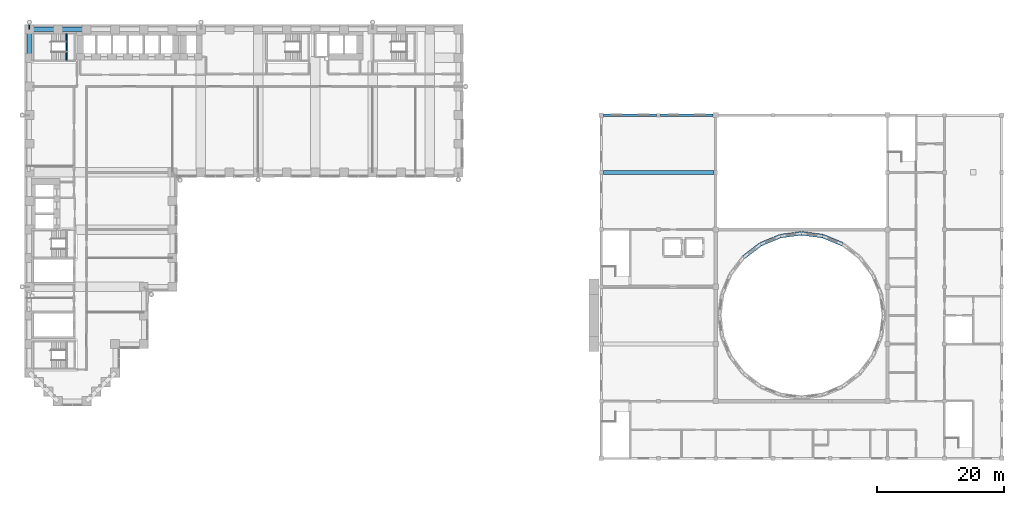
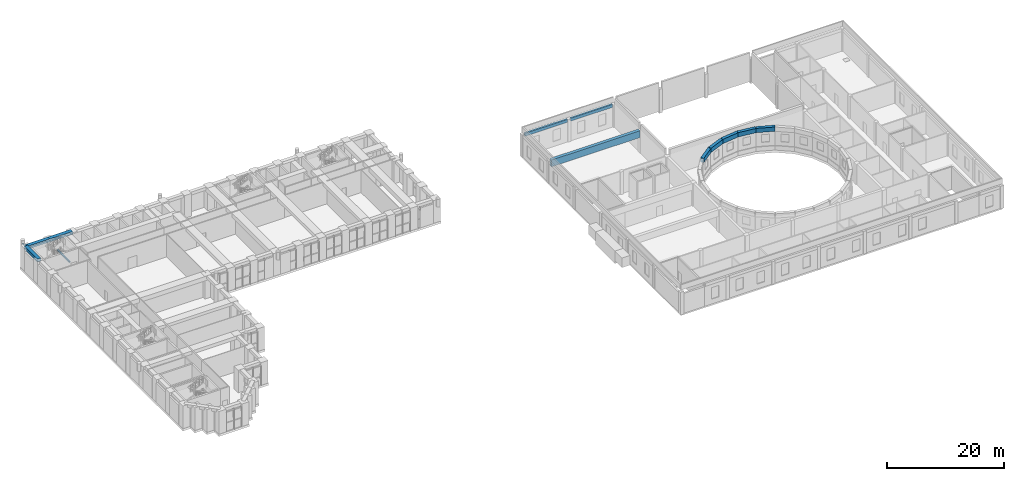
# One storey, part 10 of 35: 12 beams, 1 member.
"""IFC4 building model written with IfcOpenShell, lengths in metres."""

import ifcopenshell
import ifcopenshell.guid

model = None  # the IFC model being written
_history = None  # IfcOwnerHistory: only IFC2X3 demands one
_inside = {}  # id of a spatial element -> (the spatial element, [elements in it])
_under = {}  # id of a project, library or spatial element -> (it, [spatial elements below it])
_declared = {}  # id of a project -> (the project, [libraries it declares])
_typed = {}  # id of a type object -> (the type object, [elements of that type])
_made_of = {}  # id of a material, layer set ... -> (it, [elements and type objects made of it])


def new_model(schema):
    """Start an empty IFC model of exactly this schema.

    Asked for "IFC4X3", IfcOpenShell would pick the latest addendum, in which some entities
    have other attributes; the version numbers below select the first issue.
    IFC2X3 requires an IfcOwnerHistory on every rooted entity: one is made here for all.
    """
    global model, _history
    if schema == "IFC4X3":
        model = ifcopenshell.file(schema_version=(4, 3, 0, 0))
    else:
        model = ifcopenshell.file(schema=schema)
    _inside.clear()
    _under.clear()
    _declared.clear()
    _typed.clear()
    _made_of.clear()
    _history = None
    if model.schema == "IFC2X3":
        org = make("IfcOrganization", Name="unknown")
        user = make(
            "IfcPersonAndOrganization",
            ThePerson=make("IfcPerson", FamilyName="unknown"),
            TheOrganization=org,
        )
        app = make(
            "IfcApplication",
            ApplicationDeveloper=org,
            Version="unknown",
            ApplicationFullName="unknown",
            ApplicationIdentifier="unknown",
        )
        _history = make(
            "IfcOwnerHistory",
            OwningUser=user,
            OwningApplication=app,
            ChangeAction="ADDED",
            CreationDate=0,
        )
    return model


def make(cls, **values):
    """One entity of the class cls with the attributes given. An attribute that is None is left unset."""
    return model.create_entity(
        cls, **{name: value for name, value in values.items() if value is not None}
    )


def rooted(cls, **values):
    """An entity with a GlobalId (a new one), such as an element, a storey or a relation."""
    return make(cls, GlobalId=ifcopenshell.guid.new(), OwnerHistory=_history, **values)


def si_unit(unit_type, name, prefix=None):
    """IfcSIUnit, for example si_unit("LENGTHUNIT", "METRE", prefix="MILLI")."""
    return make("IfcSIUnit", UnitType=unit_type, Prefix=prefix, Name=name)


def assignment(units):
    """IfcUnitAssignment: the units of a project."""
    return None if units is None else make("IfcUnitAssignment", Units=units)


def point(xyz):
    """IfcCartesianPoint."""
    return None if xyz is None else make("IfcCartesianPoint", Coordinates=xyz)


def direction(xyz):
    """IfcDirection."""
    return None if xyz is None else make("IfcDirection", DirectionRatios=xyz)


def frame(location, z_axis=None, x_axis=None):
    """IfcAxis2Placement3D, a coordinate frame: its origin and axes. An axis left out is left unset."""
    return make(
        "IfcAxis2Placement3D",
        Location=point(location),
        Axis=direction(z_axis),
        RefDirection=direction(x_axis),
    )


def frame_2d(location, x_axis=None):
    """IfcAxis2Placement2D, a coordinate frame in the plane: its origin and x axis."""
    return make(
        "IfcAxis2Placement2D", Location=point(location), RefDirection=direction(x_axis)
    )


def origin():
    """The frame at (0, 0, 0) with its axes left unset."""
    return frame((0.0, 0.0, 0.0))


def origin_2d():
    """The frame at (0, 0) in the plane with its x axis left unset."""
    return frame_2d((0.0, 0.0))


def place(relative_to, where):
    """IfcLocalPlacement: puts the frame where relative to a parent placement (None: the world)."""
    return make(
        "IfcLocalPlacement", PlacementRelTo=relative_to, RelativePlacement=where
    )


def context(
    kind, dimensions, precision=None, world=None, true_north=None, identifier=None
):
    """IfcGeometricRepresentationContext, for example the 3D "Model" context."""
    return make(
        "IfcGeometricRepresentationContext",
        ContextIdentifier=identifier,
        ContextType=kind,
        CoordinateSpaceDimension=dimensions,
        Precision=precision,
        WorldCoordinateSystem=world,
        TrueNorth=true_north,
    )


def subcontext(parent, identifier, kind, view, scale=None):
    """IfcGeometricRepresentationSubContext, for example "Body" below "Model"."""
    return make(
        "IfcGeometricRepresentationSubContext",
        ContextIdentifier=identifier,
        ContextType=kind,
        ParentContext=parent,
        TargetScale=scale,
        TargetView=view,
    )


def project(units=None, contexts=None):
    """IfcProject with its units and contexts."""
    return rooted(
        "IfcProject",
        Name="project",
        RepresentationContexts=contexts,
        UnitsInContext=assignment(units),
    )


def spatial(cls, under=None, at=None, **own):
    """A site, building, storey or space (cls), placed at a placement, below another one or the project."""
    s = rooted(cls, ObjectPlacement=at, **own)
    if under is not None:
        _under.setdefault(under.id(), (under, []))[1].append(s)
    return s


def profile(cls, at=None, kind="AREA", **sizes):
    """A parametric profile (cls). Its sizes go by their IFC names, for example OverallWidth=200.0."""
    return make(cls, ProfileType=kind, Position=at, **sizes)


def rectangle(**sizes):
    """IfcRectangleProfileDef."""
    return profile("IfcRectangleProfileDef", **sizes)


def hollow_circle(**sizes):
    """IfcCircleHollowProfileDef."""
    return profile("IfcCircleHollowProfileDef", **sizes)


def extrude(swept, where, along, depth):
    """IfcExtrudedAreaSolid: the profile swept, set in the frame where, extruded along a direction by depth."""
    return make(
        "IfcExtrudedAreaSolid",
        SweptArea=swept,
        Position=where,
        ExtrudedDirection=direction(along),
        Depth=depth,
    )


def shape(context_of_items, identifier, shape_type, items):
    """IfcShapeRepresentation: the items that make up one representation, for example the "Body"."""
    return make(
        "IfcShapeRepresentation",
        ContextOfItems=context_of_items,
        RepresentationIdentifier=identifier,
        RepresentationType=shape_type,
        Items=items,
    )


def material(Name=None, Category=None):
    """IfcMaterial."""
    return make("IfcMaterial", Name=Name, Category=Category)


def material_profile(
    of_material, cross_section, Name=None, Category=None, Priority=None
):
    """IfcMaterialProfile: a cross section and its material."""
    return make(
        "IfcMaterialProfile",
        Name=Name,
        Material=of_material,
        Profile=cross_section,
        Priority=Priority,
        Category=Category,
    )


def profile_set(profiles, Name=None, composite=None):
    """IfcMaterialProfileSet."""
    return make(
        "IfcMaterialProfileSet",
        Name=Name,
        MaterialProfiles=profiles,
        CompositeProfile=composite,
    )


def made_of(thing, what):
    """Note that an element or type object is made of a material, layer set ...; save() writes the relation."""
    if what is not None:
        _made_of.setdefault(what.id(), (what, []))[1].append(thing)
    return thing


def type_object(cls, material=None, **own):
    """A type object (cls), such as IfcWallType, which elements share."""
    return made_of(rooted(cls, **own), material)


def element(
    cls,
    number,
    at=None,
    inside=None,
    cuts=None,
    type_object=None,
    material=None,
    context=None,
    identifier="Body",
    shape_type=None,
    held_by="IfcProductDefinitionShape",
    body=None,
    shapes=None,
    **own,
):
    """One element of the class cls, such as IfcWall. Its Tag is "e" and its number.

    at: its placement. inside: the storey or other place that contains it. cuts: it is an
    opening in that element (IfcRelVoidsElement). A single representation is given by context,
    identifier, shape_type and body (its items); several are given by shapes. held_by: the class
    of the entity that holds the representations. save() writes the other relations.
    """
    e = rooted(cls, Tag="e%d" % number, ObjectPlacement=at, **own)
    if body is not None:
        shapes = [shape(context, identifier, shape_type, body)]
    if shapes is not None:
        e.Representation = make(held_by, Representations=shapes)
    if inside is not None:
        _inside.setdefault(inside.id(), (inside, []))[1].append(e)
    if cuts is not None:
        rooted(
            "IfcRelVoidsElement", RelatingBuildingElement=cuts, RelatedOpeningElement=e
        )
    if type_object is not None:
        _typed.setdefault(type_object.id(), (type_object, []))[1].append(e)
    return made_of(e, material)


def aggregate(whole, parts):
    """IfcRelAggregates: a whole, such as a stair, and the parts it consists of."""
    return rooted("IfcRelAggregates", RelatingObject=whole, RelatedObjects=parts)


def save(model, path):
    """Write the relations noted so far, then the file.

    IfcRelAggregates (storeys below a building ...), IfcRelContainedInSpatialStructure (elements
    in a storey), IfcRelDefinesByType, IfcRelAssociatesMaterial and IfcRelDeclares: one each for
    every whole, place, type object, material and project.
    """
    for whole, parts in _under.values():
        aggregate(whole, parts)
    for where, things in _inside.values():
        rooted(
            "IfcRelContainedInSpatialStructure",
            RelatedElements=things,
            RelatingStructure=where,
        )
    for kind, things in _typed.values():
        rooted("IfcRelDefinesByType", RelatedObjects=things, RelatingType=kind)
    for what, things in _made_of.values():
        rooted("IfcRelAssociatesMaterial", RelatedObjects=things, RelatingMaterial=what)
    for by, libraries in _declared.values():
        rooted("IfcRelDeclares", RelatingContext=by, RelatedDefinitions=libraries)
    model.write(path)


model = new_model("IFC4")

# Units and contexts
model_context = context("Model", 3, precision=1e-05, world=origin(), true_north=direction((0.0, 1.0)))
body_context = subcontext(model_context, "Body", "Model", "MODEL_VIEW")
ifc_project = project(units=[si_unit("LENGTHUNIT", "METRE"), si_unit("AREAUNIT", "SQUARE_METRE"), si_unit("VOLUMEUNIT", "CUBIC_METRE"), si_unit("PLANEANGLEUNIT", "RADIAN"), si_unit("MASSUNIT", "GRAM", prefix="KILO")], contexts=[model_context])

# Site, building, storey
site_placement = place(None, origin())
site = spatial("IfcSite", under=ifc_project, at=site_placement, CompositionType="ELEMENT")
building_placement = place(site_placement, origin())
building = spatial("IfcBuilding", under=site, at=building_placement, Name="Firuza Court", CompositionType="ELEMENT")
storey_placement = place(building_placement, frame((0.0, 0.0, 24.0)))
storey = spatial("IfcBuildingStorey", under=building, at=storey_placement, Name="L04", CompositionType="ELEMENT", Elevation=24.0)

# Member
ifc_material_1 = material(Name="Steel S355", Category="steel")
ifc_material_profile_1 = material_profile(ifc_material_1, hollow_circle(Radius=0.136474609375, WallThickness=0.012451171875, at=origin_2d()), Name="CHS 273x12.5")
ifc_profile_set_1 = profile_set([ifc_material_profile_1], Name="Steel S355")
member_type = type_object("IfcMemberType", Name="Diagrid tie CHS 273x12.5 S355", PredefinedType="STRUT", material=ifc_profile_set_1)
member_placement = place(storey_placement, frame((0.0, 58.5, 4.449951171875), z_axis=(0.0, 1.0, 0.0), x_axis=(-1.0, 0.0, 0.0)))
element("IfcMember", 1, at=member_placement, inside=storey, type_object=member_type, Name="Diagrid tie level L05", PredefinedType="STRUT", context=body_context, shape_type="SweptSolid", body=[
    extrude(hollow_circle(Radius=0.136474609375, WallThickness=0.012451171875, at=origin_2d()), origin(), (0.0, 0.0, 1.0), 1.1201171875),
])

# Beams
ifc_material_2 = material(Name="Concrete C40/50", Category="concrete")
ifc_material_profile_2 = material_profile(ifc_material_2, rectangle(XDim=0.25, YDim=0.25, at=origin_2d()), Name="RC 250x250")
ifc_profile_set_2 = profile_set([ifc_material_profile_2], Name="Concrete C40/50")
beam_type_1 = type_object("IfcBeamType", Name="Landing beam RC 250x250 C40/50", PredefinedType="BEAM", material=ifc_profile_set_2)
beam_1_placement = place(storey_placement, frame((5.824951171875, 53.64990234375, 2.175048828125), z_axis=(0.0, 1.0, 0.0), x_axis=(-1.0, 0.0, 0.0)))
element("IfcBeam", 2, at=beam_1_placement, inside=storey, type_object=beam_type_1, Name="Landing beam S3 L04", PredefinedType="BEAM", context=body_context, shape_type="SweptSolid", body=[
    extrude(rectangle(XDim=0.25, YDim=0.25, at=origin_2d()), origin(), (0.0, 0.0, 1.0), 4.2001953125),
])
ifc_material_3 = material(Name="Concrete C40/50", Category="concrete")
ifc_material_profile_3 = material_profile(ifc_material_3, rectangle(XDim=0.60009765625, YDim=0.89990234375, at=origin_2d()), Name="RC 600X900 RING")
ifc_profile_set_3 = profile_set([ifc_material_profile_3], Name="Concrete C40/50")
beam_type_2 = type_object("IfcBeamType", Name="RC DRUM RING BEAM 600X900", PredefinedType="BEAM", material=ifc_profile_set_3)
for number, where, z_axis, x_axis, name in (
    (3, (127.918701171875, 24.69580078125, 4.85009765625), (-0.923880317165, 0.382681538037, 0.0), (-0.382681538037, -0.923880317165, 0.0), "Drum ring beam 5"),
    (4, (124.80224609375, 25.9755859375, 4.85009765625), (-0.99144166728, 0.130550451475, 0.0), (-0.130550451475, -0.99144166728, 0.0), "Drum ring beam 6"),
    (5, (121.4609375, 26.4052734375, 4.85009765625), (-0.99144166728, -0.130550451475, 0.0), (0.130550451475, -0.99144166728, 0.0), "Drum ring beam 7"),
    (6, (118.1220703125, 25.955322265625, 4.85009765625), (-0.923880317165, -0.382681538037, 0.0), (0.382681538037, -0.923880317165, 0.0), "Drum ring beam 8"),
    (7, (115.013427734375, 24.65673828125, 4.85009765625), (-0.79333765339, -0.608781872031, 0.0), (0.608781872031, -0.79333765339, 0.0), "Drum ring beam 9"),
):
    element("IfcBeam", number, at=place(storey_placement, frame(where, z_axis=z_axis, x_axis=x_axis)), inside=storey, type_object=beam_type_2, Name=name, PredefinedType="BEAM", context=body_context, shape_type="SweptSolid", body=[
        extrude(rectangle(XDim=0.60009765625, YDim=0.89990234375, at=origin_2d()), origin(), (0.0, 0.0, 1.0), 3.291259765625),
    ])
ifc_material_4 = material(Name="Concrete C40/50", Category="concrete")
ifc_material_profile_4 = material_profile(ifc_material_4, rectangle(XDim=0.60009765625, YDim=1.39990234375, at=origin_2d()), Name="RC 600X1400")
ifc_profile_set_4 = profile_set([ifc_material_profile_4], Name="Concrete C40/50")
beam_type_3 = type_object("IfcBeamType", Name="RC GIRDER 600X1400", PredefinedType="BEAM", material=ifc_profile_set_4)
beam_2_placement = place(storey_placement, frame((90.300537109375, 36.0, 4.0), z_axis=(1.0, 0.0, 0.0), x_axis=(0.0, 1.0, 0.0)))
element("IfcBeam", 8, at=beam_2_placement, inside=storey, type_object=beam_type_3, Name="Girder 36 L04", PredefinedType="BEAM", context=body_context, shape_type="SweptSolid", body=[
    extrude(rectangle(XDim=0.60009765625, YDim=1.39990234375, at=origin_2d()), origin(), (0.0, 0.0, 1.0), 17.39892578125),
])
ifc_material_5 = material(Name="Concrete C40/50", Category="concrete")
ifc_material_profile_5 = material_profile(ifc_material_5, rectangle(XDim=0.35009765625, YDim=0.60009765625, at=origin_2d()), Name="RC 350X600")
ifc_profile_set_5 = profile_set([ifc_material_profile_5], Name="Concrete C40/50")
beam_type_4 = type_object("IfcBeamType", Name="RC RING BEAM 350X600", PredefinedType="BEAM", material=ifc_profile_set_5)
beam_3_placement = place(storey_placement, frame((90.35009765625, 45.0, 4.39990234375), z_axis=(1.0, 0.0, 0.0), x_axis=(0.0, 1.0, 0.0)))
element("IfcBeam", 9, at=beam_3_placement, inside=storey, type_object=beam_type_4, Name="Edge beam N2.1 L04", PredefinedType="BEAM", context=body_context, shape_type="SweptSolid", body=[
    extrude(rectangle(XDim=0.35009765625, YDim=0.60009765625, at=origin_2d()), origin(), (0.0, 0.0, 1.0), 8.349853515625),
])
beam_4_placement = place(storey_placement, frame((99.300048828125, 45.0, 4.39990234375), z_axis=(1.0, 0.0, 0.0), x_axis=(0.0, 1.0, 0.0)))
element("IfcBeam", 10, at=beam_4_placement, inside=storey, type_object=beam_type_4, Name="Edge beam N4.1 L04", PredefinedType="BEAM", context=body_context, shape_type="SweptSolid", body=[
    extrude(rectangle(XDim=0.35009765625, YDim=0.60009765625, at=origin_2d()), origin(), (0.0, 0.0, 1.0), 8.300048828125),
])
ifc_material_6 = material(Name="Concrete C40/50", Category="concrete")
ifc_material_profile_6 = material_profile(ifc_material_6, rectangle(XDim=0.699951171875, YDim=0.60009765625, at=origin_2d()), Name="RC 700x600")
ifc_profile_set_6 = profile_set([ifc_material_profile_6], Name="Concrete C40/50")
beam_type_5 = type_object("IfcBeamType", Name="Spandrel beam RC 700x600 C40/50", PredefinedType="BEAM", material=ifc_profile_set_6)
for number, where, z_axis, x_axis, name in (
    (11, (0.0, 58.5, 4.39990234375), (0.0, -1.0, 0.0), (1.0, 0.0, 0.0), "Spandrel beam SP10 level L05"),
    (12, (4.5, 58.5, 4.39990234375), (-1.0, 0.0, 0.0), (0.0, -1.0, 0.0), "Spandrel beam SP10 level L05"),
    (13, (9.0, 58.5, 4.39990234375), (-1.0, 0.0, 0.0), (0.0, -1.0, 0.0), "Spandrel beam SP10 level L05"),
):
    element("IfcBeam", number, at=place(storey_placement, frame(where, z_axis=z_axis, x_axis=x_axis)), inside=storey, type_object=beam_type_5, Name=name, PredefinedType="BEAM", context=body_context, shape_type="SweptSolid", body=[
        extrude(rectangle(XDim=0.699951171875, YDim=0.60009765625, at=origin_2d()), origin(), (0.0, 0.0, 1.0), 4.5),
    ])

save(model, "model.ifc")
